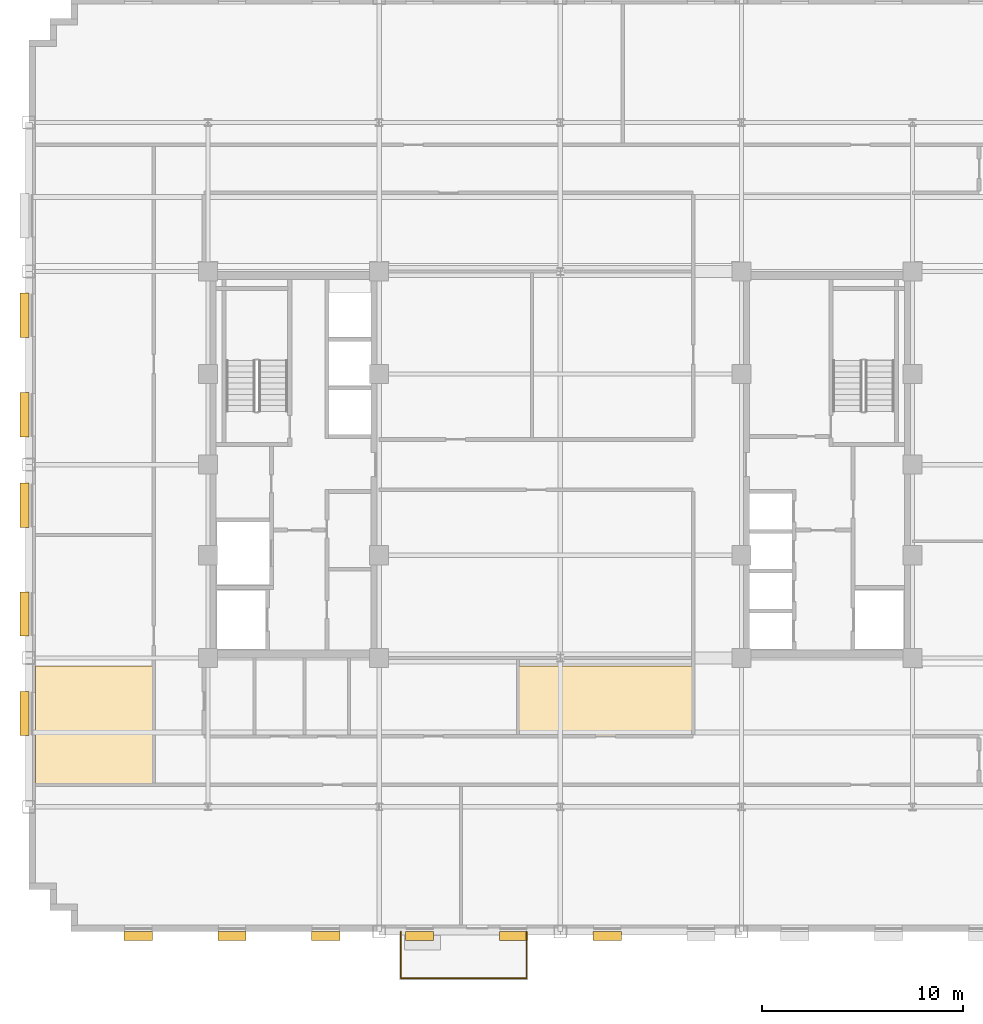
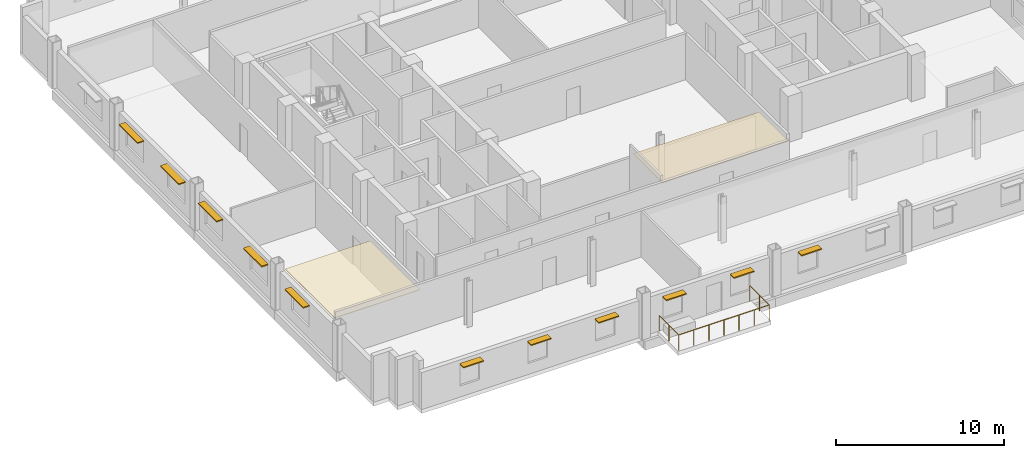
# One storey, part 10 of 14: 11 shading devices, 2 coverings, 1 railing.
"""IFC4 building model written with IfcOpenShell, lengths in metres."""

from ifc_helpers import new_model, si_unit, direction, frame, origin, origin_2d, place, context, subcontext, project, spatial, polyline, rectangle, circle, outline, extrude, source, transform, mapped, material, layer, layer_set, type_object, type_shapes, element, save


model = new_model("IFC4")

# Units and contexts
model_context = context("Model", 3, precision=1e-05, world=origin(), true_north=direction((0.0, 1.0)))
body_context = subcontext(model_context, "Body", "Model", "MODEL_VIEW")
ifc_project = project(units=[si_unit("LENGTHUNIT", "METRE"), si_unit("AREAUNIT", "SQUARE_METRE"), si_unit("VOLUMEUNIT", "CUBIC_METRE"), si_unit("PLANEANGLEUNIT", "RADIAN"), si_unit("MASSUNIT", "GRAM", prefix="KILO")], contexts=[model_context])

# Site, building, storey
site_placement = place(None, origin())
site = spatial("IfcSite", under=ifc_project, at=site_placement, CompositionType="ELEMENT")
building_placement = place(site_placement, origin())
building = spatial("IfcBuilding", under=site, at=building_placement, Name="Nuvemarco Arch Tower", CompositionType="ELEMENT")
storey_placement = place(building_placement, frame((0.0, 0.0, 134.800048828125)))
storey = spatial("IfcBuildingStorey", under=building, at=storey_placement, Name="L35", CompositionType="ELEMENT", Elevation=134.800048828125)

# Coverings
ifc_material_1 = material(Name="Mineral acoustic ceiling tile")
ifc_layer = layer(ifc_material_1, 0.0400390625, Name="COV-ACOUSTIC-CLG")
ifc_layer_set = layer_set([ifc_layer], Name="Mineral acoustic ceiling tile")
covering_type = type_object("IfcCoveringType", Name="COV-ACOUSTIC-CLG", PredefinedType="CEILING", material=ifc_layer_set)
covering_1_placement = place(storey_placement, frame((0.0, 0.0, 2.849853515625)))
element("IfcCovering", 1, at=covering_1_placement, inside=storey, type_object=covering_type, Name="L35 suspended acoustic ceiling 7", PredefinedType="CEILING", context=body_context, shape_type="SweptSolid", body=[
    extrude(outline(polyline([(-20.199951171875, -13.5), (-20.199951171875, -15.89990234375), (-26.080078125, -15.89990234375), (-26.080078125, -10.0), (-20.199951171875, -10.0), (-20.199951171875, -13.5)])), origin(), (0.0, 0.0, 1.0), 0.0400390625),
])
covering_2_placement = place(storey_placement, frame((0.0, 0.0, 2.849853515625)))
element("IfcCovering", 2, at=covering_2_placement, inside=storey, type_object=covering_type, Name="L35 suspended acoustic ceiling 8", PredefinedType="CEILING", context=body_context, shape_type="SweptSolid", body=[
    extrude(outline(polyline([(6.60009765625, -13.5), (-2.10009765625, -13.5), (-2.10009765625, -10.0), (6.60009765625, -10.0), (6.60009765625, -13.5)])), origin(), (0.0, 0.0, 1.0), 0.0400390625),
])

# Railing
ifc_material_2 = material(Name="Dark anodised balustrade steel S355", Category="steel")
railing_type = type_object("IfcRailingType", Name="RL-TERR-GUARD", PredefinedType="BALUSTRADE", material=ifc_material_2)
railing_placement = place(storey_placement, frame((-7.919921875, -23.199951171875, 0.0)))
element("IfcRailing", 3, at=railing_placement, inside=storey, type_object=railing_type, Name="L35 spiral terrace perimeter balustrade guard", PredefinedType="BALUSTRADE", context=body_context, shape_type="SweptSolid", body=[
    extrude(circle(Radius=0.02392578125, at=origin_2d()), frame((0.0, 0.0, 1.1259765625), z_axis=(0.0, -1.0, 0.0), x_axis=(1.0, 0.0, 0.0)), (0.0, 0.0, 1.0), 2.320068359375),
    extrude(circle(Radius=0.02392578125, at=origin_2d()), frame((0.0, -2.320068359375, 1.1259765625), z_axis=(1.0, 0.0, 0.0), x_axis=(0.0, 1.0, 0.0)), (0.0, 0.0, 1.0), 6.239990234375),
    extrude(circle(Radius=0.02392578125, at=origin_2d()), frame((6.239990234375, -2.320068359375, 1.1259765625), z_axis=(0.0, 1.0, 0.0), x_axis=(-1.0, 0.0, 0.0)), (0.0, 0.0, 1.0), 2.320068359375),
    extrude(circle(Radius=0.02099609375, at=origin_2d()), origin(), (0.0, 0.0, 1.0), 1.101806640625),
    extrude(circle(Radius=0.02099609375, at=origin_2d()), frame((0.0, -1.16015625, 0.0)), (0.0, 0.0, 1.0), 1.101806640625),
    extrude(circle(Radius=0.02099609375, at=origin_2d()), frame((0.0, -2.320068359375, 0.0)), (0.0, 0.0, 1.0), 1.101806640625),
    extrude(circle(Radius=0.02099609375, at=origin_2d()), frame((1.0400390625, -2.320068359375, 0.0)), (0.0, 0.0, 1.0), 1.101806640625),
    extrude(circle(Radius=0.02099609375, at=origin_2d()), frame((2.080078125, -2.320068359375, 0.0)), (0.0, 0.0, 1.0), 1.101806640625),
    extrude(circle(Radius=0.02099609375, at=origin_2d()), frame((3.1201171875, -2.320068359375, 0.0)), (0.0, 0.0, 1.0), 1.101806640625),
    extrude(circle(Radius=0.02099609375, at=origin_2d()), frame((4.159912109375, -2.320068359375, 0.0)), (0.0, 0.0, 1.0), 1.101806640625),
    extrude(circle(Radius=0.02099609375, at=origin_2d()), frame((5.199951171875, -2.320068359375, 0.0)), (0.0, 0.0, 1.0), 1.101806640625),
    extrude(circle(Radius=0.02099609375, at=origin_2d()), frame((6.239990234375, -2.320068359375, 0.0)), (0.0, 0.0, 1.0), 1.101806640625),
    extrude(circle(Radius=0.02099609375, at=origin_2d()), frame((6.239990234375, -1.16015625, 0.0)), (0.0, 0.0, 1.0), 1.101806640625),
    extrude(circle(Radius=0.02099609375, at=origin_2d()), frame((6.239990234375, 0.0, 0.0)), (0.0, 0.0, 1.0), 1.101806640625),
])

# Shading devices
ifc_material_3 = material(Name="Anodised aluminium 6063-T6", Category="aluminium")
shading_device_type_1 = type_object("IfcShadingDeviceType", Name="SHD-BRISE-SOLEIL", PredefinedType="USERDEFINED", material=ifc_material_3)
shared_shape_1 = source(origin(), body_context, "Body", "SweptSolid", [
    extrude(rectangle(XDim=2.199951171875, YDim=0.449951171875, at=origin_2d()), origin(), (0.0, 0.0, 1.0), 0.080078125),
])
type_shapes(shading_device_type_1, [shared_shape_1])
for number, where, z_axis, x_axis, name in (
    (4, (-26.614990234375, -12.364990234375, 2.364990234375), (0.0, 0.0, 1.0), (0.0, 1.0, 0.0), "L35 horizontal brise-soleil sunshade"),
    (5, (-26.614990234375, -7.4189453125, 2.364990234375), (0.0, 0.0, 1.0), (0.0, 1.0, 0.0), "L35 horizontal brise-soleil sunshade"),
    (6, (-26.614990234375, -2.02294921875, 2.364990234375), (0.0, 0.0, 1.0), (0.0, 1.0, 0.0), "L35 horizontal brise-soleil sunshade"),
    (7, (-26.614990234375, 2.472900390625, 2.364990234375), (0.0, 0.0, 1.0), (0.0, 1.0, 0.0), "L35 horizontal brise-soleil sunshade"),
    (8, (-26.614990234375, 7.4189453125, 2.364990234375), (0.0, 0.0, 1.0), (0.0, 1.0, 0.0), "L35 horizontal brise-soleil sunshade"),
):
    element("IfcShadingDevice", number, at=place(storey_placement, frame(where, z_axis=z_axis, x_axis=x_axis)), inside=storey, type_object=shading_device_type_1, Name=name, ObjectType="SUNSHADE", PredefinedType="USERDEFINED", context=body_context, shape_type="MappedRepresentation", body=[
        mapped(shared_shape_1, transform((0.0, 0.0, 0.0), scale=1.0)),
    ])
shading_device_type_2 = type_object("IfcShadingDeviceType", Name="SHD-BRISE-NARROW", PredefinedType="USERDEFINED", material=ifc_material_3)
shared_shape_2 = source(origin(), body_context, "Body", "SweptSolid", [
    extrude(rectangle(XDim=1.39990234375, YDim=0.449951171875, at=origin_2d()), origin(), (0.0, 0.0, 1.0), 0.080078125),
])
type_shapes(shading_device_type_2, [shared_shape_2])
for number, where, z_axis, x_axis, name in (
    (9, (-20.969970703125, -23.4150390625, 2.364990234375), (0.0, 0.0, 1.0), (1.0, 0.0, 0.0), "L35 horizontal brise-soleil sunshade"),
    (10, (-16.31005859375, -23.4150390625, 2.364990234375), (0.0, 0.0, 1.0), (1.0, 0.0, 0.0), "L35 horizontal brise-soleil sunshade"),
    (11, (-11.64990234375, -23.4150390625, 2.364990234375), (0.0, 0.0, 1.0), (1.0, 0.0, 0.0), "L35 horizontal brise-soleil sunshade"),
    (12, (-6.989990234375, -23.4150390625, 2.364990234375), (0.0, 0.0, 1.0), (1.0, 0.0, 0.0), "L35 horizontal brise-soleil sunshade"),
    (13, (-2.330078125, -23.4150390625, 2.364990234375), (0.0, 0.0, 1.0), (1.0, 0.0, 0.0), "L35 horizontal brise-soleil sunshade"),
    (14, (2.330078125, -23.4150390625, 2.364990234375), (0.0, 0.0, 1.0), (1.0, 0.0, 0.0), "L35 horizontal brise-soleil sunshade"),
):
    element("IfcShadingDevice", number, at=place(storey_placement, frame(where, z_axis=z_axis, x_axis=x_axis)), inside=storey, type_object=shading_device_type_2, Name=name, ObjectType="SUNSHADE", PredefinedType="USERDEFINED", context=body_context, shape_type="MappedRepresentation", body=[
        mapped(shared_shape_2, transform((0.0, 0.0, 0.0), scale=1.0)),
    ])

save(model, "model.ifc")
